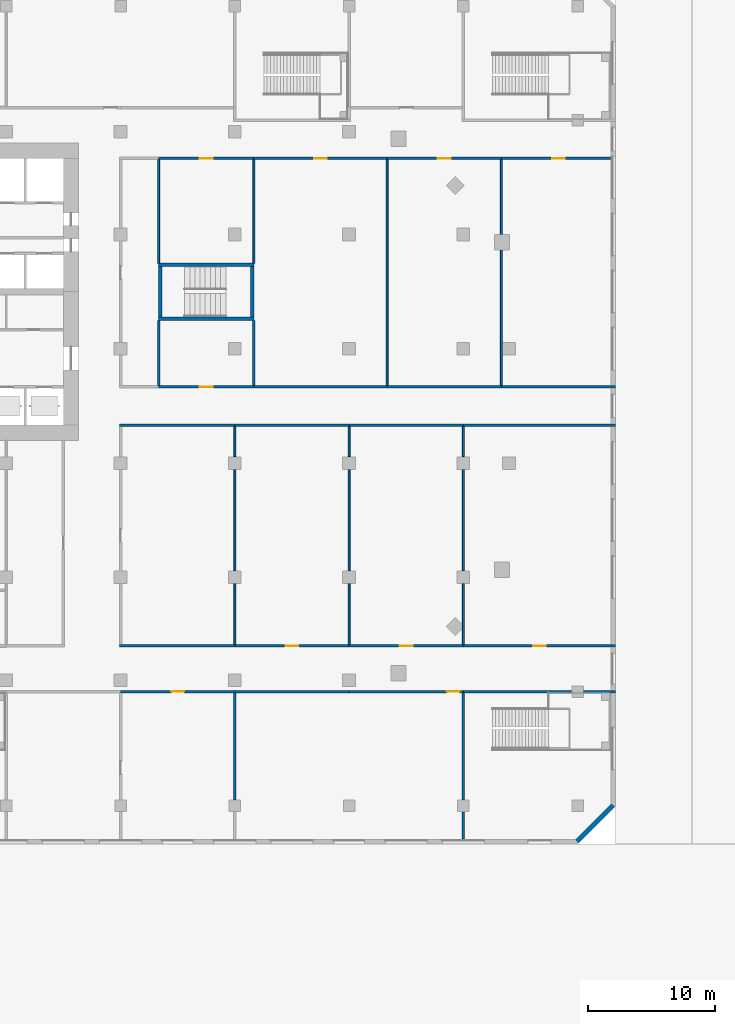
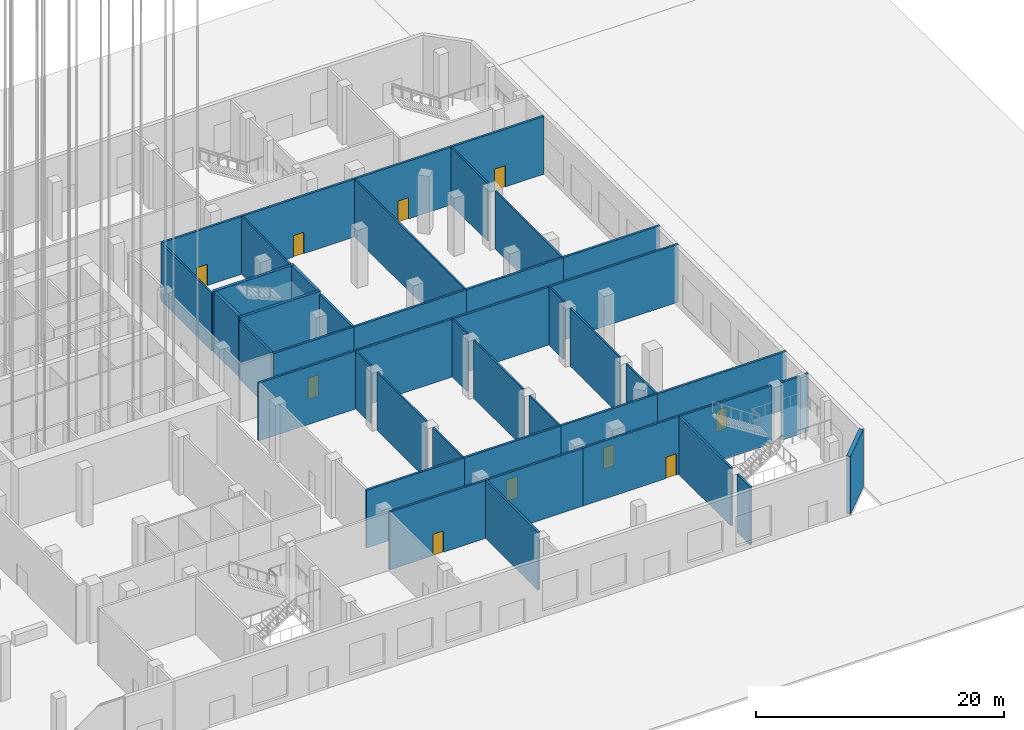
# One storey, part 42 of 55: 45 walls, 10 doors, 10 openings.
"""IFC4 building model written with IfcOpenShell, lengths in metres."""

from ifc_helpers import new_model, si_unit, direction, frame, frame_2d, origin, place, context, subcontext, project, spatial, rectangle, extrude, material, layer, layer_set, type_object, element, fill, save


model = new_model("IFC4")

# Units and contexts
model_context = context("Model", 3, precision=1e-05, world=origin(), true_north=direction((0.0, 1.0)))
body_context = subcontext(model_context, "Body", "Model", "MODEL_VIEW")
ifc_project = project(units=[si_unit("LENGTHUNIT", "METRE"), si_unit("AREAUNIT", "SQUARE_METRE"), si_unit("VOLUMEUNIT", "CUBIC_METRE"), si_unit("PLANEANGLEUNIT", "RADIAN"), si_unit("MASSUNIT", "GRAM", prefix="KILO")], contexts=[model_context])

# Site, building, storey
site_placement = place(None, origin())
site = spatial("IfcSite", under=ifc_project, at=site_placement, CompositionType="ELEMENT")
building_placement = place(site_placement, origin())
building = spatial("IfcBuilding", under=site, at=building_placement, Name="Cinnabar Reach Civic Tower", CompositionType="ELEMENT")
storey_placement = place(building_placement, origin())
storey = spatial("IfcBuildingStorey", under=building, at=storey_placement, Name="L00", CompositionType="ELEMENT", Elevation=0.0)

# Wall
ifc_material_1 = material(Name="Facing brick with insulated backing", Category="masonry")
ifc_layer_1 = layer(ifc_material_1, 0.36)
ifc_layer_set_1 = layer_set([ifc_layer_1], Name="Brick corner wall")
wall_type_1 = type_object("IfcWallType", Name="Brick corner wall", PredefinedType="STANDARD", material=ifc_layer_set_1)
wall_1_placement = place(storey_placement, frame((62.9611, -11.7843, 0.0), z_axis=(0.0, 0.0, 1.0), x_axis=(0.707106781187, 0.707106781187, 0.0)))
element("IfcWall", 1, at=wall_1_placement, inside=storey, type_object=wall_type_1, Name="Brick corner wall", PredefinedType="STANDARD", context=body_context, shape_type="SweptSolid", body=[
    extrude(rectangle(XDim=3.9926, YDim=0.36, at=frame_2d((1.9963, 0.0))), origin(), (0.0, 0.0, 1.0), 5.7),
])

# Wall, opening, door
ifc_material_2 = material(Name="Concrete blockwork", Category="masonry")
ifc_layer_2 = layer(ifc_material_2, 0.2)
ifc_layer_set_2 = layer_set([ifc_layer_2], Name="Podium masonry corridor wall 200 EI 120")
wall_type_2 = type_object("IfcWallType", Name="Podium masonry corridor wall 200 EI 120", PredefinedType="PARTITIONING", material=ifc_layer_set_2)
wall_2_placement = place(storey_placement, frame((27.0, 0.0, 0.0), z_axis=(0.0, 0.0, 1.0), x_axis=(1.0, 0.0, 0.0)))
wall_2 = element("IfcWall", 2, at=wall_2_placement, inside=storey, type_object=wall_type_2, Name="Wall L00 88", PredefinedType="PARTITIONING", context=body_context, shape_type="SweptSolid", body=[
    extrude(rectangle(XDim=9.0, YDim=0.2, at=frame_2d((4.5, 0.0))), origin(), (0.0, 0.0, 1.0), 5.7),
])
opening_1_placement = place(wall_2_placement, frame((4.0, 0.0, 0.0)))
opening_1 = element("IfcOpeningElement", 3, at=opening_1_placement, cuts=wall_2, Name="Opening D1010", PredefinedType="OPENING", context=body_context, shape_type="SweptSolid", body=[
    extrude(rectangle(XDim=1.0, YDim=2.1, at=frame_2d((0.5, 1.05))), frame((0.0, 0.11, 0.0), z_axis=(0.0, -1.0, 0.0), x_axis=(1.0, 0.0, 0.0)), (0.0, 0.0, 1.0), 0.22),
])
ifc_material_3 = material(Name="Painted steel door leaf", Category="steel")
door_type = type_object("IfcDoorType", Name="Podium single door 1000x2100", OperationType="SINGLE_SWING_LEFT", PredefinedType="DOOR", material=ifc_material_3)
door_1_placement = place(opening_1_placement, frame((1.0, 0.0, 0.0), z_axis=(0.0, 0.0, 1.0), x_axis=(-1.0, 0.0, 0.0)))
door_1 = element("IfcDoor", 4, at=door_1_placement, inside=storey, type_object=door_type, Name="Door D1010", OperationType="SINGLE_SWING_LEFT", OverallHeight=2.1, OverallWidth=1.0, PredefinedType="DOOR", context=body_context, shape_type="SweptSolid", body=[
    extrude(rectangle(XDim=1.0, YDim=2.1, at=frame_2d((0.5, 1.05))), frame((0.0, 0.025, 0.0), z_axis=(0.0, -1.0, 0.0), x_axis=(1.0, 0.0, 0.0)), (0.0, 0.0, 1.0), 0.05),
])
fill(opening_1, door_1)

wall_3_placement = place(storey_placement, frame((45.0, 0.0, 0.0), z_axis=(0.0, 0.0, 1.0), x_axis=(1.0, 0.0, 0.0)))
wall_3 = element("IfcWall", 5, at=wall_3_placement, inside=storey, type_object=wall_type_2, Name="Wall L00 89", PredefinedType="PARTITIONING", context=body_context, shape_type="SweptSolid", body=[
    extrude(rectangle(XDim=9.0, YDim=0.2, at=frame_2d((4.5, 0.0))), origin(), (0.0, 0.0, 1.0), 5.7),
])
opening_2_placement = place(wall_3_placement, frame((7.7, 0.0, 0.0)))
opening_2 = element("IfcOpeningElement", 6, at=opening_2_placement, cuts=wall_3, Name="Opening D1011", PredefinedType="OPENING", context=body_context, shape_type="SweptSolid", body=[
    extrude(rectangle(XDim=1.0, YDim=2.1, at=frame_2d((0.5, 1.05))), frame((0.0, 0.11, 0.0), z_axis=(0.0, -1.0, 0.0), x_axis=(1.0, 0.0, 0.0)), (0.0, 0.0, 1.0), 0.22),
])
door_2_placement = place(opening_2_placement, origin())
door_2 = element("IfcDoor", 7, at=door_2_placement, inside=storey, type_object=door_type, Name="Door D1011", OperationType="SINGLE_SWING_RIGHT", OverallHeight=2.1, OverallWidth=1.0, PredefinedType="DOOR", context=body_context, shape_type="SweptSolid", body=[
    extrude(rectangle(XDim=1.0, YDim=2.1, at=frame_2d((0.5, 1.05))), frame((0.0, 0.025, 0.0), z_axis=(0.0, -1.0, 0.0), x_axis=(1.0, 0.0, 0.0)), (0.0, 0.0, 1.0), 0.05),
])
fill(opening_2, door_2)

# Walls
wall_4_placement = place(storey_placement, frame((36.0, 0.0, 0.0), z_axis=(0.0, 0.0, 1.0), x_axis=(1.0, 0.0, 0.0)))
element("IfcWall", 8, at=wall_4_placement, inside=storey, type_object=wall_type_2, Name="Wall L00 90", PredefinedType="PARTITIONING", context=body_context, shape_type="SweptSolid", body=[
    extrude(rectangle(XDim=9.0, YDim=0.2, at=frame_2d((4.5, 0.0))), origin(), (0.0, 0.0, 1.0), 5.7),
])
wall_5_placement = place(storey_placement, frame((26.9, 3.6, 0.0), z_axis=(0.0, 0.0, 1.0), x_axis=(1.0, 0.0, 0.0)))
element("IfcWall", 9, at=wall_5_placement, inside=storey, type_object=wall_type_2, Name="Wall L00 97", PredefinedType="PARTITIONING", context=body_context, shape_type="SweptSolid", body=[
    extrude(rectangle(XDim=9.1, YDim=0.2, at=frame_2d((4.55, 0.0))), origin(), (0.0, 0.0, 1.0), 5.7),
])

# Wall, opening, door
wall_6_placement = place(storey_placement, frame((36.0, 3.6, 0.0), z_axis=(0.0, 0.0, 1.0), x_axis=(1.0, 0.0, 0.0)))
wall_6 = element("IfcWall", 10, at=wall_6_placement, inside=storey, type_object=wall_type_2, Name="Wall L00 98", PredefinedType="PARTITIONING", context=body_context, shape_type="SweptSolid", body=[
    extrude(rectangle(XDim=9.0, YDim=0.2, at=frame_2d((4.5, 0.0))), origin(), (0.0, 0.0, 1.0), 5.7),
])
opening_3_placement = place(wall_6_placement, frame((4.0, 0.0, 0.0)))
opening_3 = element("IfcOpeningElement", 11, at=opening_3_placement, cuts=wall_6, Name="Opening D1023", PredefinedType="OPENING", context=body_context, shape_type="SweptSolid", body=[
    extrude(rectangle(XDim=1.0, YDim=2.1, at=frame_2d((0.5, 1.05))), frame((0.0, 0.11, 0.0), z_axis=(0.0, -1.0, 0.0), x_axis=(1.0, 0.0, 0.0)), (0.0, 0.0, 1.0), 0.22),
])
door_3_placement = place(opening_3_placement, origin())
door_3 = element("IfcDoor", 12, at=door_3_placement, inside=storey, type_object=door_type, Name="Door D1023", OperationType="SINGLE_SWING_RIGHT", OverallHeight=2.1, OverallWidth=1.0, PredefinedType="DOOR", context=body_context, shape_type="SweptSolid", body=[
    extrude(rectangle(XDim=1.0, YDim=2.1, at=frame_2d((0.5, 1.05))), frame((0.0, 0.025, 0.0), z_axis=(0.0, -1.0, 0.0), x_axis=(1.0, 0.0, 0.0)), (0.0, 0.0, 1.0), 0.05),
])
fill(opening_3, door_3)

wall_7_placement = place(storey_placement, frame((45.0, 3.6, 0.0), z_axis=(0.0, 0.0, 1.0), x_axis=(1.0, 0.0, 0.0)))
wall_7 = element("IfcWall", 13, at=wall_7_placement, inside=storey, type_object=wall_type_2, Name="Wall L00 99", PredefinedType="PARTITIONING", context=body_context, shape_type="SweptSolid", body=[
    extrude(rectangle(XDim=9.0, YDim=0.2, at=frame_2d((4.5, 0.0))), origin(), (0.0, 0.0, 1.0), 5.7),
])
opening_4_placement = place(wall_7_placement, frame((4.0, 0.0, 0.0)))
opening_4 = element("IfcOpeningElement", 14, at=opening_4_placement, cuts=wall_7, Name="Opening D1024", PredefinedType="OPENING", context=body_context, shape_type="SweptSolid", body=[
    extrude(rectangle(XDim=1.0, YDim=2.1, at=frame_2d((0.5, 1.05))), frame((0.0, 0.11, 0.0), z_axis=(0.0, -1.0, 0.0), x_axis=(1.0, 0.0, 0.0)), (0.0, 0.0, 1.0), 0.22),
])
door_4_placement = place(opening_4_placement, origin())
door_4 = element("IfcDoor", 15, at=door_4_placement, inside=storey, type_object=door_type, Name="Door D1024", OperationType="SINGLE_SWING_RIGHT", OverallHeight=2.1, OverallWidth=1.0, PredefinedType="DOOR", context=body_context, shape_type="SweptSolid", body=[
    extrude(rectangle(XDim=1.0, YDim=2.1, at=frame_2d((0.5, 1.05))), frame((0.0, 0.025, 0.0), z_axis=(0.0, -1.0, 0.0), x_axis=(1.0, 0.0, 0.0)), (0.0, 0.0, 1.0), 0.05),
])
fill(opening_4, door_4)

wall_8_placement = place(storey_placement, frame((54.0, 3.6, 0.0), z_axis=(0.0, 0.0, 1.0), x_axis=(1.0, 0.0, 0.0)))
wall_8 = element("IfcWall", 16, at=wall_8_placement, inside=storey, type_object=wall_type_2, Name="Wall L00 100", PredefinedType="PARTITIONING", context=body_context, shape_type="SweptSolid", body=[
    extrude(rectangle(XDim=12.0, YDim=0.2, at=frame_2d((6.0, 0.0))), origin(), (0.0, 0.0, 1.0), 5.7),
])
opening_5_placement = place(wall_8_placement, frame((5.5, 0.0, 0.0)))
opening_5 = element("IfcOpeningElement", 17, at=opening_5_placement, cuts=wall_8, Name="Opening D1025", PredefinedType="OPENING", context=body_context, shape_type="SweptSolid", body=[
    extrude(rectangle(XDim=1.0, YDim=2.1, at=frame_2d((0.5, 1.05))), frame((0.0, 0.11, 0.0), z_axis=(0.0, -1.0, 0.0), x_axis=(1.0, 0.0, 0.0)), (0.0, 0.0, 1.0), 0.22),
])
door_5_placement = place(opening_5_placement, frame((1.0, 0.0, 0.0), z_axis=(0.0, 0.0, 1.0), x_axis=(-1.0, 0.0, 0.0)))
door_5 = element("IfcDoor", 18, at=door_5_placement, inside=storey, type_object=door_type, Name="Door D1025", OperationType="SINGLE_SWING_RIGHT", OverallHeight=2.1, OverallWidth=1.0, PredefinedType="DOOR", context=body_context, shape_type="SweptSolid", body=[
    extrude(rectangle(XDim=1.0, YDim=2.1, at=frame_2d((0.5, 1.05))), frame((0.0, 0.025, 0.0), z_axis=(0.0, -1.0, 0.0), x_axis=(1.0, 0.0, 0.0)), (0.0, 0.0, 1.0), 0.05),
])
fill(opening_5, door_5)

wall_9_placement = place(storey_placement, frame((30.0, 42.0, 0.0), z_axis=(0.0, 0.0, 1.0), x_axis=(1.0, 0.0, 0.0)))
wall_9 = element("IfcWall", 19, at=wall_9_placement, inside=storey, type_object=wall_type_2, Name="Wall L00 126", PredefinedType="PARTITIONING", context=body_context, shape_type="SweptSolid", body=[
    extrude(rectangle(XDim=7.5, YDim=0.2, at=frame_2d((3.75, 0.0))), origin(), (0.0, 0.0, 1.0), 5.7),
])
opening_6_placement = place(wall_9_placement, frame((3.25, 0.0, 0.0)))
opening_6 = element("IfcOpeningElement", 20, at=opening_6_placement, cuts=wall_9, Name="Opening D1033", PredefinedType="OPENING", context=body_context, shape_type="SweptSolid", body=[
    extrude(rectangle(XDim=1.0, YDim=2.1, at=frame_2d((0.5, 1.05))), frame((0.0, 0.11, 0.0), z_axis=(0.0, -1.0, 0.0), x_axis=(1.0, 0.0, 0.0)), (0.0, 0.0, 1.0), 0.22),
])
door_6_placement = place(opening_6_placement, frame((1.0, 0.0, 0.0), z_axis=(0.0, 0.0, 1.0), x_axis=(-1.0, 0.0, 0.0)))
door_6 = element("IfcDoor", 21, at=door_6_placement, inside=storey, type_object=door_type, Name="Door D1033", OperationType="SINGLE_SWING_LEFT", OverallHeight=2.1, OverallWidth=1.0, PredefinedType="DOOR", context=body_context, shape_type="SweptSolid", body=[
    extrude(rectangle(XDim=1.0, YDim=2.1, at=frame_2d((0.5, 1.05))), frame((0.0, 0.025, 0.0), z_axis=(0.0, -1.0, 0.0), x_axis=(1.0, 0.0, 0.0)), (0.0, 0.0, 1.0), 0.05),
])
fill(opening_6, door_6)

wall_10_placement = place(storey_placement, frame((37.5, 42.0, 0.0), z_axis=(0.0, 0.0, 1.0), x_axis=(1.0, 0.0, 0.0)))
wall_10 = element("IfcWall", 22, at=wall_10_placement, inside=storey, type_object=wall_type_2, Name="Wall L00 127", PredefinedType="PARTITIONING", context=body_context, shape_type="SweptSolid", body=[
    extrude(rectangle(XDim=10.5, YDim=0.2, at=frame_2d((5.25, 0.0))), origin(), (0.0, 0.0, 1.0), 5.7),
])
opening_7_placement = place(wall_10_placement, frame((4.75, 0.0, 0.0)))
opening_7 = element("IfcOpeningElement", 23, at=opening_7_placement, cuts=wall_10, Name="Opening D1034", PredefinedType="OPENING", context=body_context, shape_type="SweptSolid", body=[
    extrude(rectangle(XDim=1.0, YDim=2.1, at=frame_2d((0.5, 1.05))), frame((0.0, 0.11, 0.0), z_axis=(0.0, -1.0, 0.0), x_axis=(1.0, 0.0, 0.0)), (0.0, 0.0, 1.0), 0.22),
])
door_7_placement = place(opening_7_placement, frame((1.0, 0.0, 0.0), z_axis=(0.0, 0.0, 1.0), x_axis=(-1.0, 0.0, 0.0)))
door_7 = element("IfcDoor", 24, at=door_7_placement, inside=storey, type_object=door_type, Name="Door D1034", OperationType="SINGLE_SWING_RIGHT", OverallHeight=2.1, OverallWidth=1.0, PredefinedType="DOOR", context=body_context, shape_type="SweptSolid", body=[
    extrude(rectangle(XDim=1.0, YDim=2.1, at=frame_2d((0.5, 1.05))), frame((0.0, 0.025, 0.0), z_axis=(0.0, -1.0, 0.0), x_axis=(1.0, 0.0, 0.0)), (0.0, 0.0, 1.0), 0.05),
])
fill(opening_7, door_7)

wall_11_placement = place(storey_placement, frame((48.0, 42.0, 0.0), z_axis=(0.0, 0.0, 1.0), x_axis=(1.0, 0.0, 0.0)))
wall_11 = element("IfcWall", 25, at=wall_11_placement, inside=storey, type_object=wall_type_2, Name="Wall L00 128", PredefinedType="PARTITIONING", context=body_context, shape_type="SweptSolid", body=[
    extrude(rectangle(XDim=9.0, YDim=0.2, at=frame_2d((4.5, 0.0))), origin(), (0.0, 0.0, 1.0), 5.7),
])
opening_8_placement = place(wall_11_placement, frame((4.0, 0.0, 0.0)))
opening_8 = element("IfcOpeningElement", 26, at=opening_8_placement, cuts=wall_11, Name="Opening D1035", PredefinedType="OPENING", context=body_context, shape_type="SweptSolid", body=[
    extrude(rectangle(XDim=1.0, YDim=2.1, at=frame_2d((0.5, 1.05))), frame((0.0, 0.11, 0.0), z_axis=(0.0, -1.0, 0.0), x_axis=(1.0, 0.0, 0.0)), (0.0, 0.0, 1.0), 0.22),
])
door_8_placement = place(opening_8_placement, frame((1.0, 0.0, 0.0), z_axis=(0.0, 0.0, 1.0), x_axis=(-1.0, 0.0, 0.0)))
door_8 = element("IfcDoor", 27, at=door_8_placement, inside=storey, type_object=door_type, Name="Door D1035", OperationType="SINGLE_SWING_RIGHT", OverallHeight=2.1, OverallWidth=1.0, PredefinedType="DOOR", context=body_context, shape_type="SweptSolid", body=[
    extrude(rectangle(XDim=1.0, YDim=2.1, at=frame_2d((0.5, 1.05))), frame((0.0, 0.025, 0.0), z_axis=(0.0, -1.0, 0.0), x_axis=(1.0, 0.0, 0.0)), (0.0, 0.0, 1.0), 0.05),
])
fill(opening_8, door_8)

wall_12_placement = place(storey_placement, frame((57.0, 42.0, 0.0), z_axis=(0.0, 0.0, 1.0), x_axis=(1.0, 0.0, 0.0)))
wall_12 = element("IfcWall", 28, at=wall_12_placement, inside=storey, type_object=wall_type_2, Name="Wall L00 129", PredefinedType="PARTITIONING", context=body_context, shape_type="SweptSolid", body=[
    extrude(rectangle(XDim=8.6, YDim=0.2, at=frame_2d((4.3, 0.0))), origin(), (0.0, 0.0, 1.0), 5.7),
])
opening_9_placement = place(wall_12_placement, frame((4.0, 0.0, 0.0)))
opening_9 = element("IfcOpeningElement", 29, at=opening_9_placement, cuts=wall_12, Name="Opening D1036", PredefinedType="OPENING", context=body_context, shape_type="SweptSolid", body=[
    extrude(rectangle(XDim=1.0, YDim=2.1, at=frame_2d((0.5, 1.05))), frame((0.0, 0.11, 0.0), z_axis=(0.0, -1.0, 0.0), x_axis=(1.0, 0.0, 0.0)), (0.0, 0.0, 1.0), 0.22),
])
door_9_placement = place(opening_9_placement, frame((1.0, 0.0, 0.0), z_axis=(0.0, 0.0, 1.0), x_axis=(-1.0, 0.0, 0.0)))
door_9 = element("IfcDoor", 30, at=door_9_placement, inside=storey, type_object=door_type, Name="Door D1036", OperationType="SINGLE_SWING_LEFT", OverallHeight=2.1, OverallWidth=1.0, PredefinedType="DOOR", context=body_context, shape_type="SweptSolid", body=[
    extrude(rectangle(XDim=1.0, YDim=2.1, at=frame_2d((0.5, 1.05))), frame((0.0, 0.025, 0.0), z_axis=(0.0, -1.0, 0.0), x_axis=(1.0, 0.0, 0.0)), (0.0, 0.0, 1.0), 0.05),
])
fill(opening_9, door_9)

# Walls
wall_13_placement = place(storey_placement, frame((26.9, 21.0, 0.0), z_axis=(0.0, 0.0, 1.0), x_axis=(1.0, 0.0, 0.0)))
element("IfcWall", 31, at=wall_13_placement, inside=storey, type_object=wall_type_2, Name="Wall L00 142", PredefinedType="PARTITIONING", context=body_context, shape_type="SweptSolid", body=[
    extrude(rectangle(XDim=9.1, YDim=0.2, at=frame_2d((4.55, 0.0))), origin(), (0.0, 0.0, 1.0), 5.7),
])
for number, where, z_axis, x_axis, name in (
    (32, (36.0, 21.0, 0.0), (0.0, 0.0, 1.0), (1.0, 0.0, 0.0), "Wall L00 143"),
    (33, (45.0, 21.0, 0.0), (0.0, 0.0, 1.0), (1.0, 0.0, 0.0), "Wall L00 144"),
):
    element("IfcWall", number, at=place(storey_placement, frame(where, z_axis=z_axis, x_axis=x_axis)), inside=storey, type_object=wall_type_2, Name=name, PredefinedType="PARTITIONING", context=body_context, shape_type="SweptSolid", body=[
        extrude(rectangle(XDim=9.0, YDim=0.2, at=frame_2d((4.5, 0.0))), origin(), (0.0, 0.0, 1.0), 5.7),
    ])
wall_14_placement = place(storey_placement, frame((54.0, 21.0, 0.0), z_axis=(0.0, 0.0, 1.0), x_axis=(1.0, 0.0, 0.0)))
element("IfcWall", 34, at=wall_14_placement, inside=storey, type_object=wall_type_2, Name="Wall L00 145", PredefinedType="PARTITIONING", context=body_context, shape_type="SweptSolid", body=[
    extrude(rectangle(XDim=12.0, YDim=0.2, at=frame_2d((6.0, 0.0))), origin(), (0.0, 0.0, 1.0), 5.7),
])

# Wall, opening, door
wall_15_placement = place(storey_placement, frame((30.0, 24.0, 0.0), z_axis=(0.0, 0.0, 1.0), x_axis=(1.0, 0.0, 0.0)))
wall_15 = element("IfcWall", 35, at=wall_15_placement, inside=storey, type_object=wall_type_2, Name="Wall L00 147", PredefinedType="PARTITIONING", context=body_context, shape_type="SweptSolid", body=[
    extrude(rectangle(XDim=7.5, YDim=0.2, at=frame_2d((3.75, 0.0))), origin(), (0.0, 0.0, 1.0), 5.7),
])
opening_10_placement = place(wall_15_placement, frame((3.25, 0.0, 0.0)))
opening_10 = element("IfcOpeningElement", 36, at=opening_10_placement, cuts=wall_15, Name="Opening D1032", PredefinedType="OPENING", context=body_context, shape_type="SweptSolid", body=[
    extrude(rectangle(XDim=1.0, YDim=2.1, at=frame_2d((0.5, 1.05))), frame((0.0, 0.11, 0.0), z_axis=(0.0, -1.0, 0.0), x_axis=(1.0, 0.0, 0.0)), (0.0, 0.0, 1.0), 0.22),
])
door_10_placement = place(opening_10_placement, origin())
door_10 = element("IfcDoor", 37, at=door_10_placement, inside=storey, type_object=door_type, Name="Door D1032", OperationType="SINGLE_SWING_RIGHT", OverallHeight=2.1, OverallWidth=1.0, PredefinedType="DOOR", context=body_context, shape_type="SweptSolid", body=[
    extrude(rectangle(XDim=1.0, YDim=2.1, at=frame_2d((0.5, 1.05))), frame((0.0, 0.025, 0.0), z_axis=(0.0, -1.0, 0.0), x_axis=(1.0, 0.0, 0.0)), (0.0, 0.0, 1.0), 0.05),
])
fill(opening_10, door_10)

# Walls
wall_16_placement = place(storey_placement, frame((37.5, 24.0, 0.0), z_axis=(0.0, 0.0, 1.0), x_axis=(1.0, 0.0, 0.0)))
element("IfcWall", 38, at=wall_16_placement, inside=storey, type_object=wall_type_2, Name="Wall L00 148", PredefinedType="PARTITIONING", context=body_context, shape_type="SweptSolid", body=[
    extrude(rectangle(XDim=10.5, YDim=0.2, at=frame_2d((5.25, 0.0))), origin(), (0.0, 0.0, 1.0), 5.7),
])
for number, where, z_axis, x_axis, name in (
    (39, (48.0, 24.0, 0.0), (0.0, 0.0, 1.0), (1.0, 0.0, 0.0), "Wall L00 149"),
    (40, (57.0, 24.0, 0.0), (0.0, 0.0, 1.0), (1.0, 0.0, 0.0), "Wall L00 150"),
):
    element("IfcWall", number, at=place(storey_placement, frame(where, z_axis=z_axis, x_axis=x_axis)), inside=storey, type_object=wall_type_2, Name=name, PredefinedType="PARTITIONING", context=body_context, shape_type="SweptSolid", body=[
        extrude(rectangle(XDim=9.0, YDim=0.2, at=frame_2d((4.5, 0.0))), origin(), (0.0, 0.0, 1.0), 5.7),
    ])
wall_17_placement = place(storey_placement, frame((36.0, -8.53, 0.0), z_axis=(0.0, 0.0, 1.0), x_axis=(0.0, 1.0, 0.0)))
element("IfcWall", 41, at=wall_17_placement, inside=storey, type_object=wall_type_2, Name="Wall L00 154", PredefinedType="PARTITIONING", context=body_context, shape_type="SweptSolid", body=[
    extrude(rectangle(XDim=8.43, YDim=0.2, at=frame_2d((4.215, 0.0))), origin(), (0.0, 0.0, 1.0), 5.7),
])
for number, where, z_axis, x_axis, name in (
    (42, (30.0, 24.1, 0.0), (0.0, 0.0, 1.0), (0.0, 1.0, 0.0), "Wall L00 188"),
    (43, (37.5, 24.1, 0.0), (0.0, 0.0, 1.0), (0.0, 1.0, 0.0), "Wall L00 190"),
):
    element("IfcWall", number, at=place(storey_placement, frame(where, z_axis=z_axis, x_axis=x_axis)), inside=storey, type_object=wall_type_2, Name=name, PredefinedType="PARTITIONING", context=body_context, shape_type="SweptSolid", body=[
        extrude(rectangle(XDim=5.15, YDim=0.2, at=frame_2d((2.575, 0.0))), origin(), (0.0, 0.0, 1.0), 5.7),
    ])
ifc_material_4 = material(Name="Gypsum board on steel studs", Category="steel")
ifc_layer_3 = layer(ifc_material_4, 0.15)
ifc_layer_set_3 = layer_set([ifc_layer_3], Name="Podium partition wall 150 EI 90")
wall_type_3 = type_object("IfcWallType", Name="Podium partition wall 150 EI 90", PredefinedType="PARTITIONING", material=ifc_layer_set_3)
wall_18_placement = place(storey_placement, frame((36.0, 3.7, 0.0), z_axis=(0.0, 0.0, 1.0), x_axis=(0.0, 1.0, 0.0)))
element("IfcWall", 44, at=wall_18_placement, inside=storey, type_object=wall_type_3, Name="Wall L00 174", PredefinedType="PARTITIONING", context=body_context, shape_type="SweptSolid", body=[
    extrude(rectangle(XDim=4.78, YDim=0.15, at=frame_2d((2.39, 0.0))), origin(), (0.0, 0.0, 1.0), 5.7),
])
wall_19_placement = place(storey_placement, frame((36.0, 9.52, 0.0), z_axis=(0.0, 0.0, 1.0), x_axis=(0.0, 1.0, 0.0)))
element("IfcWall", 45, at=wall_19_placement, inside=storey, type_object=wall_type_3, Name="Wall L00 175", PredefinedType="PARTITIONING", context=body_context, shape_type="SweptSolid", body=[
    extrude(rectangle(XDim=7.96, YDim=0.15, at=frame_2d((3.98, 0.0))), origin(), (0.0, 0.0, 1.0), 5.7),
])
wall_20_placement = place(storey_placement, frame((36.0, 18.52, 0.0), z_axis=(0.0, 0.0, 1.0), x_axis=(0.0, 1.0, 0.0)))
element("IfcWall", 46, at=wall_20_placement, inside=storey, type_object=wall_type_3, Name="Wall L00 176", PredefinedType="PARTITIONING", context=body_context, shape_type="SweptSolid", body=[
    extrude(rectangle(XDim=2.38, YDim=0.15, at=frame_2d((1.19, 0.0))), origin(), (0.0, 0.0, 1.0), 5.7),
])
wall_21_placement = place(storey_placement, frame((45.0, 3.7, 0.0), z_axis=(0.0, 0.0, 1.0), x_axis=(0.0, 1.0, 0.0)))
element("IfcWall", 47, at=wall_21_placement, inside=storey, type_object=wall_type_3, Name="Wall L00 177", PredefinedType="PARTITIONING", context=body_context, shape_type="SweptSolid", body=[
    extrude(rectangle(XDim=4.78, YDim=0.15, at=frame_2d((2.39, 0.0))), origin(), (0.0, 0.0, 1.0), 5.7),
])
wall_22_placement = place(storey_placement, frame((45.0, 9.52, 0.0), z_axis=(0.0, 0.0, 1.0), x_axis=(0.0, 1.0, 0.0)))
element("IfcWall", 48, at=wall_22_placement, inside=storey, type_object=wall_type_3, Name="Wall L00 178", PredefinedType="PARTITIONING", context=body_context, shape_type="SweptSolid", body=[
    extrude(rectangle(XDim=7.96, YDim=0.15, at=frame_2d((3.98, 0.0))), origin(), (0.0, 0.0, 1.0), 5.7),
])
wall_23_placement = place(storey_placement, frame((45.0, 18.52, 0.0), z_axis=(0.0, 0.0, 1.0), x_axis=(0.0, 1.0, 0.0)))
element("IfcWall", 49, at=wall_23_placement, inside=storey, type_object=wall_type_3, Name="Wall L00 179", PredefinedType="PARTITIONING", context=body_context, shape_type="SweptSolid", body=[
    extrude(rectangle(XDim=2.38, YDim=0.15, at=frame_2d((1.19, 0.0))), origin(), (0.0, 0.0, 1.0), 5.7),
])
wall_24_placement = place(storey_placement, frame((54.0, 3.7, 0.0), z_axis=(0.0, 0.0, 1.0), x_axis=(0.0, 1.0, 0.0)))
element("IfcWall", 50, at=wall_24_placement, inside=storey, type_object=wall_type_3, Name="Wall L00 180", PredefinedType="PARTITIONING", context=body_context, shape_type="SweptSolid", body=[
    extrude(rectangle(XDim=4.78, YDim=0.15, at=frame_2d((2.39, 0.0))), origin(), (0.0, 0.0, 1.0), 5.7),
])
wall_25_placement = place(storey_placement, frame((54.0, 9.52, 0.0), z_axis=(0.0, 0.0, 1.0), x_axis=(0.0, 1.0, 0.0)))
element("IfcWall", 51, at=wall_25_placement, inside=storey, type_object=wall_type_3, Name="Wall L00 181", PredefinedType="PARTITIONING", context=body_context, shape_type="SweptSolid", body=[
    extrude(rectangle(XDim=7.96, YDim=0.15, at=frame_2d((3.98, 0.0))), origin(), (0.0, 0.0, 1.0), 5.7),
])
wall_26_placement = place(storey_placement, frame((54.0, 18.52, 0.0), z_axis=(0.0, 0.0, 1.0), x_axis=(0.0, 1.0, 0.0)))
element("IfcWall", 52, at=wall_26_placement, inside=storey, type_object=wall_type_3, Name="Wall L00 182", PredefinedType="PARTITIONING", context=body_context, shape_type="SweptSolid", body=[
    extrude(rectangle(XDim=2.38, YDim=0.15, at=frame_2d((1.19, 0.0))), origin(), (0.0, 0.0, 1.0), 5.7),
])
for number, where, z_axis, x_axis, name in (
    (53, (30.0, 33.75, 0.0), (0.0, 0.0, 1.0), (0.0, 1.0, 0.0), "Wall L00 189"),
    (54, (37.5, 33.75, 0.0), (0.0, 0.0, 1.0), (0.0, 1.0, 0.0), "Wall L00 191"),
):
    element("IfcWall", number, at=place(storey_placement, frame(where, z_axis=z_axis, x_axis=x_axis)), inside=storey, type_object=wall_type_3, Name=name, PredefinedType="PARTITIONING", context=body_context, shape_type="SweptSolid", body=[
        extrude(rectangle(XDim=8.15, YDim=0.15, at=frame_2d((4.075, 0.0))), origin(), (0.0, 0.0, 1.0), 5.7),
    ])
wall_27_placement = place(storey_placement, frame((48.0, 24.1, 0.0), z_axis=(0.0, 0.0, 1.0), x_axis=(0.0, 1.0, 0.0)))
element("IfcWall", 55, at=wall_27_placement, inside=storey, type_object=wall_type_3, Name="Wall L00 192", PredefinedType="PARTITIONING", context=body_context, shape_type="SweptSolid", body=[
    extrude(rectangle(XDim=17.8, YDim=0.15, at=frame_2d((8.9, 0.0))), origin(), (0.0, 0.0, 1.0), 5.7),
])
wall_28_placement = place(storey_placement, frame((57.0, 24.1, 0.0), z_axis=(0.0, 0.0, 1.0), x_axis=(0.0, 1.0, 0.0)))
element("IfcWall", 56, at=wall_28_placement, inside=storey, type_object=wall_type_3, Name="Wall L00 193", PredefinedType="PARTITIONING", context=body_context, shape_type="SweptSolid", body=[
    extrude(rectangle(XDim=10.6781, YDim=0.15, at=frame_2d((5.3391, 0.0))), origin(), (0.0, 0.0, 1.0), 5.7),
])
wall_29_placement = place(storey_placement, frame((57.0, 36.0181, 0.0), z_axis=(0.0, 0.0, 1.0), x_axis=(0.0, 1.0, 0.0)))
element("IfcWall", 57, at=wall_29_placement, inside=storey, type_object=wall_type_3, Name="Wall L00 194", PredefinedType="PARTITIONING", context=body_context, shape_type="SweptSolid", body=[
    extrude(rectangle(XDim=5.8819, YDim=0.15, at=frame_2d((2.9409, 0.0))), origin(), (0.0, 0.0, 1.0), 5.7),
])
ifc_material_5 = material(Name="Concrete C40", Category="concrete")
ifc_layer_4 = layer(ifc_material_5, 0.2)
ifc_layer_set_4 = layer_set([ifc_layer_4], Name="Podium stair shaft wall 200 EI 120")
wall_type_4 = type_object("IfcWallType", Name="Podium stair shaft wall 200 EI 120", PredefinedType="SOLIDWALL", material=ifc_layer_set_4)
wall_30_placement = place(storey_placement, frame((54.0, 0.0, 0.0), z_axis=(0.0, 0.0, 1.0), x_axis=(1.0, 0.0, 0.0)))
element("IfcWall", 58, at=wall_30_placement, inside=storey, type_object=wall_type_4, Name="Wall L00 15", PredefinedType="SOLIDWALL", context=body_context, shape_type="SweptSolid", body=[
    extrude(rectangle(XDim=8.53, YDim=0.2, at=frame_2d((4.265, 0.0))), origin(), (0.0, 0.0, 1.0), 5.7),
])
wall_31_placement = place(storey_placement, frame((63.47, 0.0, 0.0), z_axis=(0.0, 0.0, 1.0), x_axis=(1.0, 0.0, 0.0)))
element("IfcWall", 59, at=wall_31_placement, inside=storey, type_object=wall_type_4, Name="Wall L00 16", PredefinedType="SOLIDWALL", context=body_context, shape_type="SweptSolid", body=[
    extrude(rectangle(XDim=2.53, YDim=0.2, at=frame_2d((1.265, 0.0))), origin(), (0.0, 0.0, 1.0), 5.7),
])
wall_32_placement = place(storey_placement, frame((54.0, -11.6, 0.0), z_axis=(0.0, 0.0, 1.0), x_axis=(0.0, 1.0, 0.0)))
element("IfcWall", 60, at=wall_32_placement, inside=storey, type_object=wall_type_4, Name="Wall L00 17", PredefinedType="SOLIDWALL", context=body_context, shape_type="SweptSolid", body=[
    extrude(rectangle(XDim=2.13, YDim=0.2, at=frame_2d((1.065, 0.0))), origin(), (0.0, 0.0, 1.0), 5.7),
])
wall_33_placement = place(storey_placement, frame((54.0, -8.53, 0.0), z_axis=(0.0, 0.0, 1.0), x_axis=(0.0, 1.0, 0.0)))
element("IfcWall", 61, at=wall_33_placement, inside=storey, type_object=wall_type_4, Name="Wall L00 18", PredefinedType="SOLIDWALL", context=body_context, shape_type="SweptSolid", body=[
    extrude(rectangle(XDim=8.43, YDim=0.2, at=frame_2d((4.215, 0.0))), origin(), (0.0, 0.0, 1.0), 5.7),
])
ifc_material_6 = material(Name="Concrete C60", Category="concrete")
ifc_layer_5 = layer(ifc_material_6, 0.25)
ifc_layer_set_5 = layer_set([ifc_layer_5], Name="Stair shaft wall 250 EI 120")
wall_type_5 = type_object("IfcWallType", Name="Stair shaft wall 250 EI 120", PredefinedType="SOLIDWALL", material=ifc_layer_set_5)
for number, where, z_axis, x_axis, name in (
    (62, (30.0, 29.375, 0.0), (0.0, 0.0, 1.0), (1.0, 0.0, 0.0), "Stair shaft wall T1-S3 L00"),
    (63, (37.5, 33.625, 0.0), (0.0, 0.0, 1.0), (-1.0, 0.0, 0.0), "Stair shaft wall T1-S3 L00"),
):
    element("IfcWall", number, at=place(storey_placement, frame(where, z_axis=z_axis, x_axis=x_axis)), inside=storey, type_object=wall_type_5, Name=name, PredefinedType="SOLIDWALL", context=body_context, shape_type="SweptSolid", body=[
        extrude(rectangle(XDim=7.5, YDim=0.25, at=frame_2d((3.75, 0.0))), origin(), (0.0, 0.0, 1.0), 6.0),
    ])
for number, where, z_axis, x_axis, name in (
    (64, (37.375, 29.5, 0.0), (0.0, 0.0, 1.0), (0.0, 1.0, 0.0), "Stair shaft wall T1-S3 L00"),
    (65, (30.125, 33.5, 0.0), (0.0, 0.0, 1.0), (0.0, -1.0, 0.0), "Stair shaft wall T1-S3 L00"),
):
    element("IfcWall", number, at=place(storey_placement, frame(where, z_axis=z_axis, x_axis=x_axis)), inside=storey, type_object=wall_type_5, Name=name, PredefinedType="SOLIDWALL", context=body_context, shape_type="SweptSolid", body=[
        extrude(rectangle(XDim=4.0, YDim=0.25, at=frame_2d((2.0, 0.0))), origin(), (0.0, 0.0, 1.0), 6.0),
    ])

save(model, "model.ifc")
